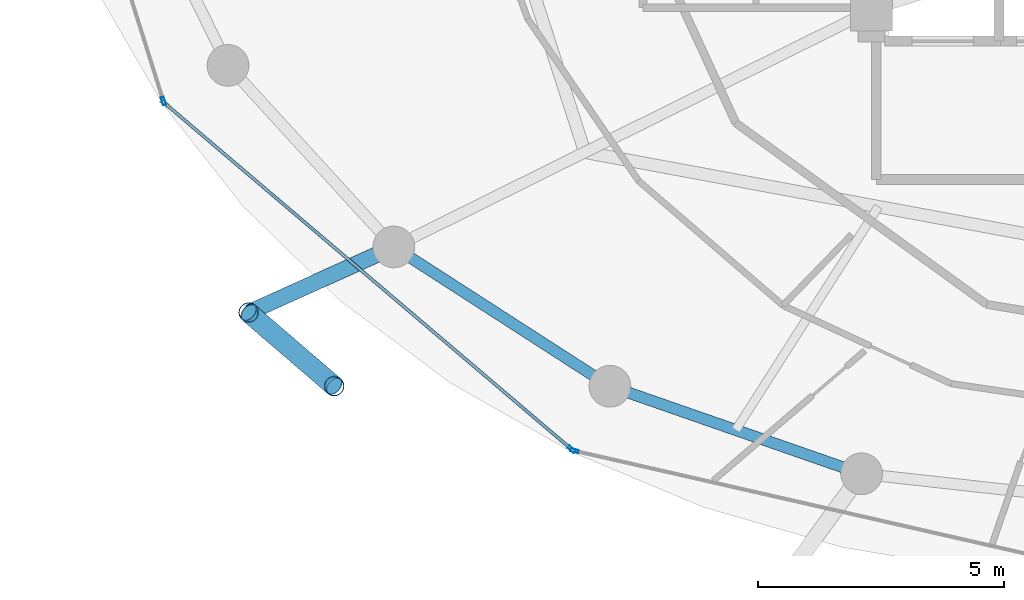
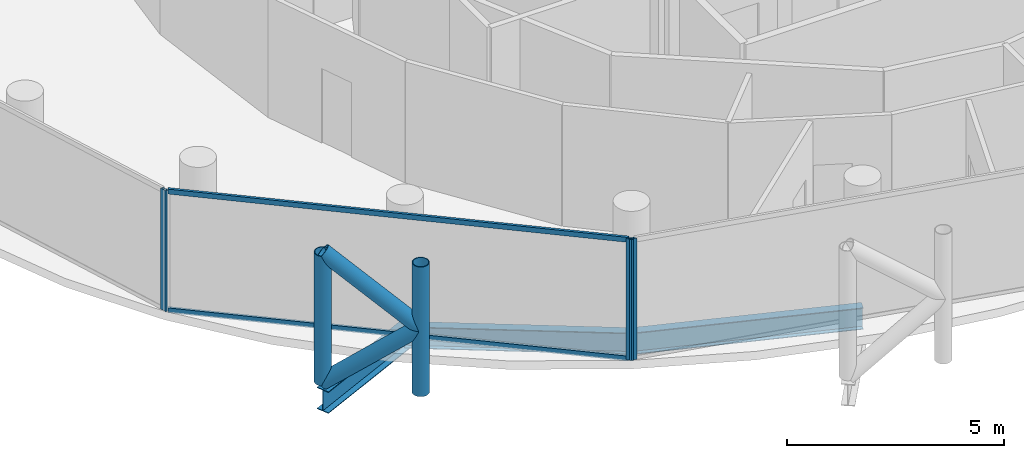
# One storey, part 2 of 27: 9 members, 3 beams, 3 elements without a shape of their own.
"""IFC4 building model written with IfcOpenShell, lengths in metres."""

from ifc_helpers import new_model, si_unit, direction, frame, origin, origin_2d, place, context, subcontext, project, spatial, hollow_rectangle, hollow_circle, i_section, extrude, material, layer, layer_set, material_profile, profile_set, type_object, element, aggregate, save


model = new_model("IFC4")

# Units and contexts
model_context = context("Model", 3, precision=1e-05, world=origin(), true_north=direction((0.0, 1.0)))
body_context = subcontext(model_context, "Body", "Model", "MODEL_VIEW")
ifc_project = project(units=[si_unit("LENGTHUNIT", "METRE"), si_unit("AREAUNIT", "SQUARE_METRE"), si_unit("VOLUMEUNIT", "CUBIC_METRE"), si_unit("PLANEANGLEUNIT", "RADIAN"), si_unit("MASSUNIT", "GRAM", prefix="KILO")], contexts=[model_context])

# Site, building, storey
site_placement = place(None, origin())
site = spatial("IfcSite", under=ifc_project, at=site_placement, CompositionType="ELEMENT")
building_placement = place(site_placement, origin())
building = spatial("IfcBuilding", under=site, at=building_placement, Name="Nuhasar Tower", CompositionType="ELEMENT")
storey_placement = place(building_placement, frame((0.0, 0.0, 248.300048828125)))
storey = spatial("IfcBuildingStorey", under=building, at=storey_placement, Name="L61", CompositionType="ELEMENT", Elevation=248.300048828125)

# Beams
ifc_material_1 = material(Name="Steel S355", Category="steel")
ifc_material_profile_1 = material_profile(ifc_material_1, i_section(OverallWidth=0.22802734375, OverallDepth=0.60791015625, WebThickness=0.01123046875, FlangeThickness=0.017333984375, at=origin_2d()), Name="W24X76")
ifc_profile_set_1 = profile_set([ifc_material_profile_1], Name="Steel S355")
beam_type_1 = type_object("IfcBeamType", Name="BM-RING-W24X76", PredefinedType="SPANDREL", material=ifc_profile_set_1)
beam_1_placement = place(storey_placement, frame((23.97412109375, 14.177978515625, -0.5439453125), z_axis=(0.840502144969, -0.541808217272, 0.0), x_axis=(0.541808217272, 0.840502144969, 0.0)))
element("IfcBeam", 1, at=beam_1_placement, inside=storey, type_object=beam_type_1, Name="L61 Perimeter Ring Spandrel 16", PredefinedType="SPANDREL", context=body_context, shape_type="SweptSolid", body=[
    extrude(i_section(OverallWidth=0.22802734375, OverallDepth=0.60791015625, WebThickness=0.01123046875, FlangeThickness=0.017333984375, at=origin_2d()), origin(), (0.0, 0.0, 1.0), 5.236083984375),
])
beam_2_placement = place(storey_placement, frame((28.375, 11.341064453125, -0.5439453125), z_axis=(0.944476764686, -0.328578211342, 0.0), x_axis=(0.328578211342, 0.944476764686, 0.0)))
element("IfcBeam", 2, at=beam_2_placement, inside=storey, type_object=beam_type_1, Name="L61 Perimeter Ring Spandrel 17", PredefinedType="SPANDREL", context=body_context, shape_type="SweptSolid", body=[
    extrude(i_section(OverallWidth=0.22802734375, OverallDepth=0.60791015625, WebThickness=0.01123046875, FlangeThickness=0.017333984375, at=origin_2d()), origin(), (0.0, 0.0, 1.0), 5.42626953125),
])
ifc_material_profile_2 = material_profile(ifc_material_1, i_section(OverallWidth=0.323974609375, OverallDepth=0.611083984375, WebThickness=0.0126953125, FlangeThickness=0.01904296875, at=origin_2d()), Name="W24X104")
ifc_profile_set_2 = profile_set([ifc_material_profile_2], Name="Steel S355")
beam_type_2 = type_object("IfcBeamType", Name="BM-TIE-W24X104", PredefinedType="BEAM", material=ifc_profile_set_2)
beam_3_placement = place(storey_placement, frame((23.97412109375, 14.177978515625, -0.545166015625), z_axis=(-0.911363318082, -0.411602845538, 0.0), x_axis=(0.411602845538, -0.911363318082, 0.0)))
element("IfcBeam", 3, at=beam_3_placement, inside=storey, type_object=beam_type_2, Name="L61 Exoskeleton Node Tie Beam 08", PredefinedType="BEAM", context=body_context, shape_type="SweptSolid", body=[
    extrude(i_section(OverallWidth=0.323974609375, OverallDepth=0.611083984375, WebThickness=0.0126953125, FlangeThickness=0.01904296875, at=origin_2d()), origin(), (0.0, 0.0, 1.0), 3.24560546875),
])

# Curtain wall, member
ifc_material_2 = material(Name="Aluminium 6063-T6", Category="aluminium")
ifc_layer = layer(ifc_material_2, 0.18994140625)
ifc_layer_set = layer_set([ifc_layer], Name="Aluminium 6063-T6")
curtain_wall_type = type_object("IfcCurtainWallType", Name="CW-Z3-RES", PredefinedType="NOTDEFINED", material=ifc_layer_set)
curtain_wall_1_placement = place(storey_placement, origin())
curtain_wall_1 = element("IfcCurtainWall", 4, at=curtain_wall_1_placement, inside=storey, type_object=curtain_wall_type, Name="L61 Unitised Curtain Wall 07", PredefinedType="NOTDEFINED")
ifc_material_profile_3 = material_profile(ifc_material_2, hollow_rectangle(XDim=0.06494140625, YDim=0.169921875, WallThickness=0.0048828125, at=origin_2d()), Name="CWM-4")
ifc_profile_set_3 = profile_set([ifc_material_profile_3], Name="Aluminium 6063-T6")
member_type_1 = type_object("IfcMemberType", Name="CW-MUL-S4", PredefinedType="MULLION", material=ifc_profile_set_3)
member_1_placement = place(storey_placement, frame((19.279296875, 17.15087890625, 0.0), z_axis=(0.0, 0.0, 1.0), x_axis=(0.95380429279, 0.30042864553, 0.0)))
member_1 = element("IfcMember", 5, at=member_1_placement, type_object=member_type_1, Name="CW-Z3 mullion 2", PredefinedType="MULLION", context=body_context, shape_type="SweptSolid", body=[
    extrude(hollow_rectangle(XDim=0.06494140625, YDim=0.169921875, WallThickness=0.0048828125, at=origin_2d()), origin(), (0.0, 0.0, 1.0), 3.409912109375),
])
aggregate(curtain_wall_1, [member_1])

curtain_wall_2_placement = place(storey_placement, origin())
curtain_wall_2 = element("IfcCurtainWall", 6, at=curtain_wall_2_placement, inside=storey, type_object=curtain_wall_type, Name="L61 Unitised Curtain Wall 08", PredefinedType="NOTDEFINED")
member_2_placement = place(storey_placement, frame((27.59521484375, 10.05517578125, 0.0), z_axis=(0.0, 0.0, 1.0), x_axis=(0.64789521578, 0.761729472562, 0.0)))
member_2 = element("IfcMember", 7, at=member_2_placement, type_object=member_type_1, Name="CW-Z3 mullion 2", PredefinedType="MULLION", context=body_context, shape_type="SweptSolid", body=[
    extrude(hollow_rectangle(XDim=0.06494140625, YDim=0.169921875, WallThickness=0.0048828125, at=origin_2d()), origin(), (0.0, 0.0, 1.0), 3.409912109375),
])

curtain_wall_3_placement = place(storey_placement, origin())
curtain_wall_3 = element("IfcCurtainWall", 8, at=curtain_wall_3_placement, inside=storey, type_object=curtain_wall_type, Name="L61 Unitised Curtain Wall 09", PredefinedType="NOTDEFINED")
member_3_placement = place(storey_placement, frame((27.651611328125, 10.02685546875, 0.0), z_axis=(0.0, 0.0, 1.0), x_axis=(0.222243176313, 0.974991266926, 0.0)))
member_3 = element("IfcMember", 9, at=member_3_placement, type_object=member_type_1, Name="CW-Z3 mullion 1", PredefinedType="MULLION", context=body_context, shape_type="SweptSolid", body=[
    extrude(hollow_rectangle(XDim=0.06494140625, YDim=0.169921875, WallThickness=0.0048828125, at=origin_2d()), origin(), (0.0, 0.0, 1.0), 3.409912109375),
])
aggregate(curtain_wall_3, [member_3])

# Member
ifc_material_profile_4 = material_profile(ifc_material_2, hollow_rectangle(XDim=0.06494140625, YDim=0.139892578125, WallThickness=0.00439453125, at=origin_2d()), Name="CWT-4")
ifc_profile_set_4 = profile_set([ifc_material_profile_4], Name="Aluminium 6063-T6")
member_type_2 = type_object("IfcMemberType", Name="CW-TRN-S4", PredefinedType="USERDEFINED", material=ifc_profile_set_4)
member_4_placement = place(storey_placement, frame((19.338623046875, 17.077880859375, 0.032470703125), z_axis=(0.761730809511, -0.647893643928, 0.0), x_axis=(0.647893643928, 0.761730809511, 0.0)))
member_4 = element("IfcMember", 10, at=member_4_placement, type_object=member_type_2, Name="CW-Z3 transom 1.1", ObjectType="TRANSOM", PredefinedType="USERDEFINED", context=body_context, shape_type="SweptSolid", body=[
    extrude(hollow_rectangle(XDim=0.06494140625, YDim=0.139892578125, WallThickness=0.00439453125, at=origin_2d()), origin(), (0.0, 0.0, 1.0), 10.806884765625),
])

member_5_placement = place(storey_placement, frame((19.338623046875, 17.077880859375, 3.37744140625), z_axis=(0.761730809511, -0.647893643928, 0.0), x_axis=(0.647893643928, 0.761730809511, 0.0)))
member_5 = element("IfcMember", 11, at=member_5_placement, type_object=member_type_2, Name="CW-Z3 transom 1.2", ObjectType="TRANSOM", PredefinedType="USERDEFINED", context=body_context, shape_type="SweptSolid", body=[
    extrude(hollow_rectangle(XDim=0.06494140625, YDim=0.139892578125, WallThickness=0.00439453125, at=origin_2d()), origin(), (0.0, 0.0, 1.0), 10.806884765625),
])

aggregate(curtain_wall_2, [member_2, member_4, member_5])

# Members
ifc_material_3 = material(Name="Steel S460", Category="steel")
ifc_material_profile_5 = material_profile(ifc_material_3, hollow_circle(Radius=0.203125, WallThickness=0.01904296875, at=origin_2d()), Name="HSS406.4X19.1")
ifc_profile_set_5 = profile_set([ifc_material_profile_5], Name="Steel S460")
member_type_3 = type_object("IfcMemberType", Name="EXO-BRONZE-406", PredefinedType="BRACE", material=ifc_profile_set_5)
for number, where, z_axis, x_axis, name in (
    (12, (21.01611328125, 12.842041015625, 0.0), (0.0, 0.0, 1.0), (1.0, 0.0, 0.0), "L61 Exoskeleton Chord Column EC-08A"),
    (13, (22.760009765625, 11.343017578125, 0.0), (0.0, 0.0, 1.0), (1.0, 0.0, 0.0), "L61 Exoskeleton Chord Column EC-08B"),
):
    element("IfcMember", number, at=place(storey_placement, frame(where, z_axis=z_axis, x_axis=x_axis)), inside=storey, type_object=member_type_3, Name=name, PredefinedType="BRACE", context=body_context, shape_type="SweptSolid", body=[
        extrude(hollow_circle(Radius=0.203125, WallThickness=0.01904296875, at=origin_2d()), origin(), (0.0, 0.0, 1.0), 3.64990234375),
    ])
for number, where, z_axis, x_axis, name in (
    (14, (21.01611328125, 12.842041015625, 0.0), (0.594018535389, -0.510608120858, 0.621627964725), (0.65185738425, 0.758341579104, 0.0), "L61 Bronze Diagrid Brace W1-08"),
    (15, (22.760009765625, 11.343017578125, 1.824951171875), (-0.594018535389, 0.510608120858, 0.621627964725), (-0.65185738425, -0.758341579104, 0.0), "L61 Bronze Diagrid Brace W2-08"),
):
    element("IfcMember", number, at=place(storey_placement, frame(where, z_axis=z_axis, x_axis=x_axis)), inside=storey, type_object=member_type_3, Name=name, PredefinedType="BRACE", context=body_context, shape_type="SweptSolid", body=[
        extrude(hollow_circle(Radius=0.203125, WallThickness=0.01904296875, at=origin_2d()), origin(), (0.0, 0.0, 1.0), 2.935791015625),
    ])

save(model, "model.ifc")
